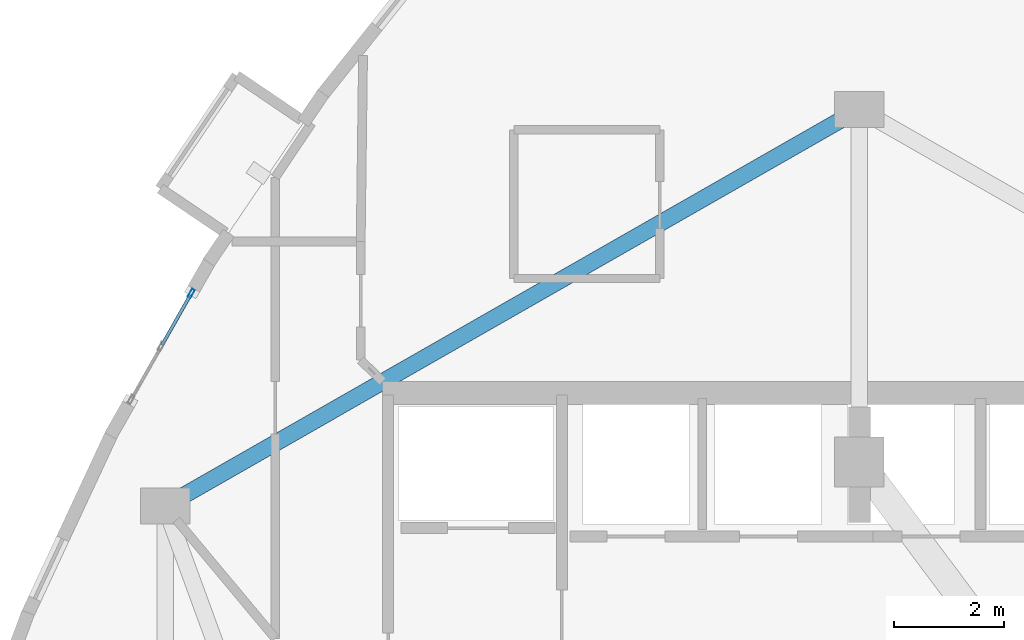
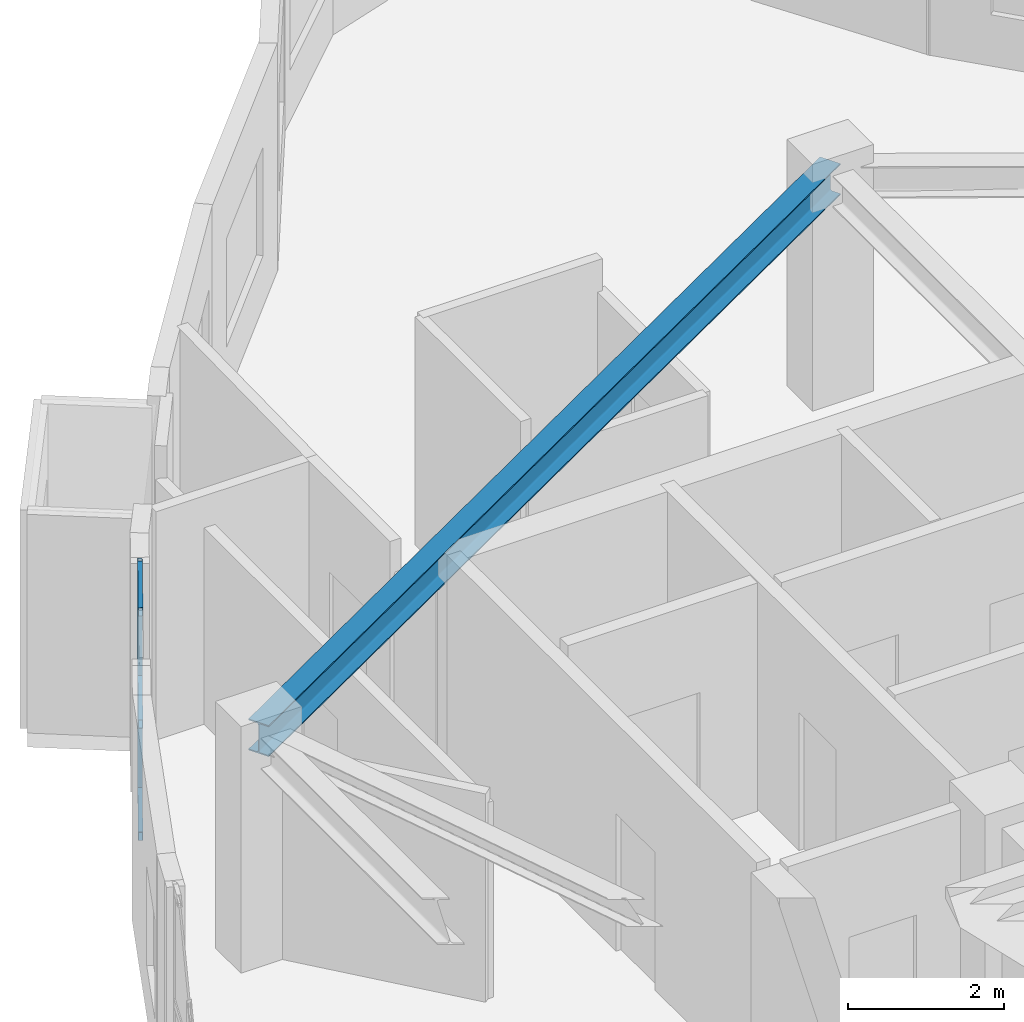
# One storey, part 5 of 16: 4 members, 1 beam, 1 element without a shape of its own.
"""IFC4 building model written with IfcOpenShell, lengths in metres."""

from ifc_helpers import new_model, si_unit, direction, frame, origin, origin_2d, place, context, subcontext, project, spatial, hollow_rectangle, i_section, extrude, material, layer, layer_set, material_profile, profile_set, type_object, element, aggregate, save


model = new_model("IFC4")

# Units and contexts
model_context = context("Model", 3, precision=1e-05, world=origin(), true_north=direction((0.0, 1.0)))
body_context = subcontext(model_context, "Body", "Model", "MODEL_VIEW")
ifc_project = project(units=[si_unit("LENGTHUNIT", "METRE"), si_unit("AREAUNIT", "SQUARE_METRE"), si_unit("VOLUMEUNIT", "CUBIC_METRE"), si_unit("PLANEANGLEUNIT", "RADIAN"), si_unit("MASSUNIT", "GRAM", prefix="KILO")], contexts=[model_context])

# Site, building, storey
site_placement = place(None, origin())
site = spatial("IfcSite", under=ifc_project, at=site_placement, CompositionType="ELEMENT")
building_placement = place(site_placement, origin())
building = spatial("IfcBuilding", under=site, at=building_placement, Name="Miruveldt Soraemaru", CompositionType="ELEMENT")
storey_placement = place(building_placement, frame((0.0, 0.0, 271.25)))
storey = spatial("IfcBuildingStorey", under=building, at=storey_placement, Name="L74", CompositionType="ELEMENT", Elevation=271.25)

# Beam
ifc_material_1 = material(Name="Steel SM355 (355 MPa)", Category="steel")
ifc_material_profile_1 = material_profile(ifc_material_1, i_section(OverallWidth=0.300048828125, OverallDepth=0.488037109375, WebThickness=0.010986328125, FlangeThickness=0.01806640625, FilletRadius=0.02587890625, at=origin_2d()), Name="Steel SM355 (355 MPa)", Category="steel")
ifc_profile_set_1 = profile_set([ifc_material_profile_1], Name="Steel SM355 (355 MPa)")
beam_type = type_object("IfcBeamType", Name="BM-ST-H488", PredefinedType="BEAM", material=ifc_profile_set_1)
beam_placement = place(storey_placement, frame((31.39990234375, 50.39990234375, 3.321044921875), z_axis=(0.868239001029, 0.496146185203, 0.0), x_axis=(-0.496146185203, 0.868239001029, 0.0)))
element("IfcBeam", 1, at=beam_placement, inside=storey, type_object=beam_type, Name="L74 Inner Ring Girder 6", PredefinedType="BEAM", context=body_context, shape_type="SweptSolid", body=[
    extrude(i_section(OverallWidth=0.300048828125, OverallDepth=0.488037109375, WebThickness=0.010986328125, FlangeThickness=0.01806640625, FilletRadius=0.02587890625, at=origin_2d()), origin(), (0.0, 0.0, 1.0), 14.51220703125),
])

# Curtain wall, members
ifc_material_2 = material(Name="Anodised aluminium EN AW-6063 T6", Category="aluminium")
ifc_layer = layer(ifc_material_2, 0.1650390625, Name="Anodised aluminium EN AW-6063 T6", Category="aluminium")
ifc_layer_set = layer_set([ifc_layer], Name="Anodised aluminium EN AW-6063 T6")
curtain_wall_type = type_object("IfcCurtainWallType", Name="CW-SYS-5", PredefinedType="USERDEFINED", material=ifc_layer_set)
curtain_wall_placement = place(storey_placement, origin())
curtain_wall = element("IfcCurtainWall", 2, at=curtain_wall_placement, inside=storey, type_object=curtain_wall_type, Name="L74 Curtain Wall Bay 10", ObjectType="UNITISED GLAZING", PredefinedType="USERDEFINED")
ifc_material_profile_2 = material_profile(ifc_material_2, hollow_rectangle(XDim=0.06005859375, YDim=0.1650390625, WallThickness=0.00390625, at=origin_2d()), Name="Anodised aluminium EN AW-6063 T6", Category="aluminium")
ifc_profile_set_2 = profile_set([ifc_material_profile_2], Name="Anodised aluminium EN AW-6063 T6")
member_type_1 = type_object("IfcMemberType", Name="CWM-5", PredefinedType="MULLION", material=ifc_profile_set_2)
member_1_placement = place(storey_placement, frame((31.875, 54.259033203125, 0.0), z_axis=(0.0, 0.0, 1.0), x_axis=(0.869831989539, -0.493348061691, 0.0)))
member_1 = element("IfcMember", 3, at=member_1_placement, type_object=member_type_1, Name="CW-5 mullion 1", PredefinedType="MULLION", context=body_context, shape_type="SweptSolid", body=[
    extrude(hollow_rectangle(XDim=0.06005859375, YDim=0.1650390625, WallThickness=0.00390625, at=origin_2d()), origin(), (0.0, 0.0, 1.0), 3.56494140625),
])
ifc_material_profile_3 = material_profile(ifc_material_2, hollow_rectangle(XDim=0.06005859375, YDim=0.1298828125, WallThickness=0.00390625, at=origin_2d()), Name="Anodised aluminium EN AW-6063 T6", Category="aluminium")
ifc_profile_set_3 = profile_set([ifc_material_profile_3], Name="Anodised aluminium EN AW-6063 T6")
member_type_2 = type_object("IfcMemberType", Name="CWT-5", PredefinedType="USERDEFINED", material=ifc_profile_set_3)
member_2_placement = place(storey_placement, frame((31.8603515625, 54.23291015625, 0.030029296875), z_axis=(-0.493395479822, -0.869805093392, 0.0), x_axis=(0.869805093392, -0.493395479822, 0.0)))
member_2 = element("IfcMember", 4, at=member_2_placement, type_object=member_type_2, Name="CW-5 transom 1.1", ObjectType="TRANSOM", PredefinedType="USERDEFINED", context=body_context, shape_type="SweptSolid", body=[
    extrude(hollow_rectangle(XDim=0.06005859375, YDim=0.1298828125, WallThickness=0.00390625, at=origin_2d()), origin(), (0.0, 0.0, 1.0), 1.045654296875),
])
member_3_placement = place(storey_placement, frame((31.8603515625, 54.23291015625, 1.782470703125), z_axis=(-0.493395479822, -0.869805093392, 0.0), x_axis=(0.869805093392, -0.493395479822, 0.0)))
member_3 = element("IfcMember", 5, at=member_3_placement, type_object=member_type_2, Name="CW-5 transom 1.2", ObjectType="TRANSOM", PredefinedType="USERDEFINED", context=body_context, shape_type="SweptSolid", body=[
    extrude(hollow_rectangle(XDim=0.06005859375, YDim=0.1298828125, WallThickness=0.00390625, at=origin_2d()), origin(), (0.0, 0.0, 1.0), 1.045654296875),
])
member_4_placement = place(storey_placement, frame((31.8603515625, 54.23291015625, 3.534912109375), z_axis=(-0.493395479822, -0.869805093392, 0.0), x_axis=(0.869805093392, -0.493395479822, 0.0)))
member_4 = element("IfcMember", 6, at=member_4_placement, type_object=member_type_2, Name="CW-5 transom 1.3", ObjectType="TRANSOM", PredefinedType="USERDEFINED", context=body_context, shape_type="SweptSolid", body=[
    extrude(hollow_rectangle(XDim=0.06005859375, YDim=0.1298828125, WallThickness=0.00390625, at=origin_2d()), origin(), (0.0, 0.0, 1.0), 1.045654296875),
])
aggregate(curtain_wall, [member_1, member_2, member_3, member_4])

save(model, "model.ifc")
